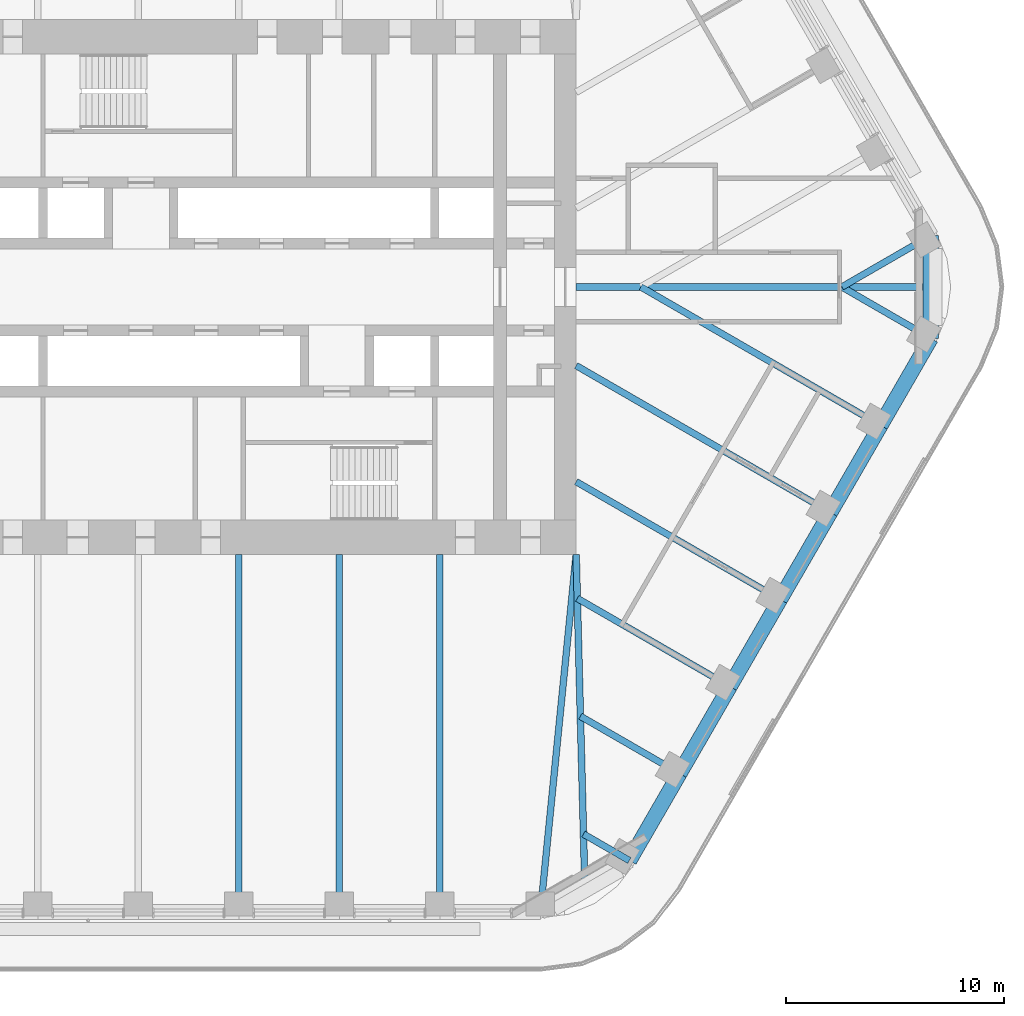
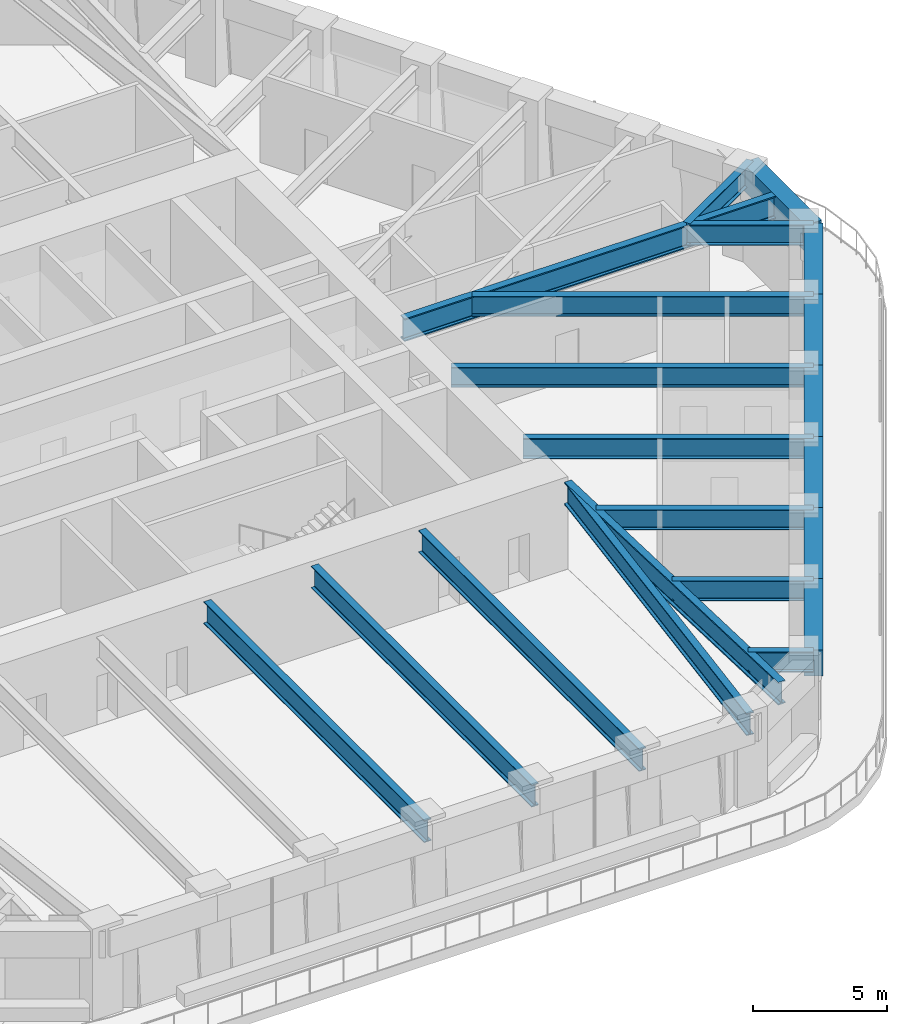
# One storey, part 5 of 20: 21 beams.
"""IFC4 building model written with IfcOpenShell, lengths in metres."""

from ifc_helpers import new_model, si_unit, direction, frame, origin, origin_2d, place, context, subcontext, project, spatial, rectangle, i_section, extrude, material, material_profile, profile_set, type_object, element, save


model = new_model("IFC4")

# Units and contexts
model_context = context("Model", 3, precision=1e-05, world=origin(), true_north=direction((0.0, 1.0)))
body_context = subcontext(model_context, "Body", "Model", "MODEL_VIEW")
ifc_project = project(units=[si_unit("LENGTHUNIT", "METRE"), si_unit("AREAUNIT", "SQUARE_METRE"), si_unit("VOLUMEUNIT", "CUBIC_METRE"), si_unit("PLANEANGLEUNIT", "RADIAN"), si_unit("MASSUNIT", "GRAM", prefix="KILO")], contexts=[model_context])

# Site, building, storey
site_placement = place(None, origin())
site = spatial("IfcSite", under=ifc_project, at=site_placement, CompositionType="ELEMENT")
building_placement = place(site_placement, origin())
building = spatial("IfcBuilding", under=site, at=building_placement, Name="Tarfa Lantern Tower", CompositionType="ELEMENT")
storey_placement = place(building_placement, frame((0.0, 0.0, 244.89990234375)))
storey = spatial("IfcBuildingStorey", under=building, at=storey_placement, Name="L55", CompositionType="ELEMENT", Elevation=244.89990234375)

# Beams
ifc_material_1 = material(Name="Concrete C80/95", Category="concrete")
ifc_material_profile_1 = material_profile(ifc_material_1, rectangle(XDim=0.699951171875, YDim=1.199951171875, at=origin_2d()), Name="RC 700x1200")
ifc_profile_set_1 = profile_set([ifc_material_profile_1], Name="Concrete C80/95")
beam_type_1 = type_object("IfcBeamType", Name="EB3 RC 700x1200", PredefinedType="SPANDREL", material=ifc_profile_set_1)
for number, where, z_axis, x_axis, name in (
    (1, (17.944091796875, -26.360107421875, 3.400146484375), (0.499987836815, 0.866032426089, 0.0), (-0.866032426089, 0.499987836815, 0.0), "Edge beam SE0"),
    (2, (20.25341796875, -22.360107421875, 3.400146484375), (0.499987836815, 0.866032426089, 0.0), (-0.866032426089, 0.499987836815, 0.0), "Edge beam SE1"),
):
    element("IfcBeam", number, at=place(storey_placement, frame(where, z_axis=z_axis, x_axis=x_axis)), inside=storey, type_object=beam_type_1, Name=name, PredefinedType="SPANDREL", context=body_context, shape_type="SweptSolid", body=[
        extrude(rectangle(XDim=0.699951171875, YDim=1.199951171875, at=origin_2d()), origin(), (0.0, 0.0, 1.0), 4.61865234375),
    ])
beam_1_placement = place(storey_placement, frame((22.562744140625, -18.360107421875, 3.400146484375), z_axis=(0.500027479704, 0.866009537788, 0.0), x_axis=(-0.866009537788, 0.500027479704, 0.0)))
element("IfcBeam", 3, at=beam_1_placement, inside=storey, type_object=beam_type_1, Name="Edge beam SE2", PredefinedType="SPANDREL", context=body_context, shape_type="SweptSolid", body=[
    extrude(rectangle(XDim=0.699951171875, YDim=1.199951171875, at=origin_2d()), origin(), (0.0, 0.0, 1.0), 4.618896484375),
])
for number, where, z_axis, x_axis, name in (
    (4, (24.872314453125, -14.360107421875, 3.400146484375), (0.499987836815, 0.866032426089, 0.0), (-0.866032426089, 0.499987836815, 0.0), "Edge beam SE3"),
    (5, (27.181640625, -10.360107421875, 3.400146484375), (0.499987836815, 0.866032426089, 0.0), (-0.866032426089, 0.499987836815, 0.0), "Edge beam SE4"),
):
    element("IfcBeam", number, at=place(storey_placement, frame(where, z_axis=z_axis, x_axis=x_axis)), inside=storey, type_object=beam_type_1, Name=name, PredefinedType="SPANDREL", context=body_context, shape_type="SweptSolid", body=[
        extrude(rectangle(XDim=0.699951171875, YDim=1.199951171875, at=origin_2d()), origin(), (0.0, 0.0, 1.0), 4.61865234375),
    ])
beam_2_placement = place(storey_placement, frame((29.490966796875, -6.360107421875, 3.400146484375), z_axis=(0.500027479704, 0.866009537788, 0.0), x_axis=(-0.866009537788, 0.500027479704, 0.0)))
element("IfcBeam", 6, at=beam_2_placement, inside=storey, type_object=beam_type_1, Name="Edge beam SE5", PredefinedType="SPANDREL", context=body_context, shape_type="SweptSolid", body=[
    extrude(rectangle(XDim=0.699951171875, YDim=1.199951171875, at=origin_2d()), origin(), (0.0, 0.0, 1.0), 4.618896484375),
])
beam_3_placement = place(storey_placement, frame((31.800537109375, -2.360107421875, 3.400146484375), z_axis=(0.0, 1.0, 0.0), x_axis=(-1.0, 0.0, 0.0)))
element("IfcBeam", 7, at=beam_3_placement, inside=storey, type_object=beam_type_1, Name="Edge beam SE6", PredefinedType="SPANDREL", context=body_context, shape_type="SweptSolid", body=[
    extrude(rectangle(XDim=0.699951171875, YDim=1.199951171875, at=origin_2d()), origin(), (0.0, 0.0, 1.0), 4.72021484375),
])
ifc_material_2 = material(Name="Steel S460M", Category="steel")
ifc_material_profile_2 = material_profile(ifc_material_2, i_section(OverallWidth=0.302001953125, OverallDepth=1.008056640625, WebThickness=0.02099609375, FlangeThickness=0.0400390625, FilletRadius=0.030029296875, at=origin_2d()), Name="UB1016x305x349")
ifc_profile_set_2 = profile_set([ifc_material_profile_2], Name="Steel S460M")
beam_type_2 = type_object("IfcBeamType", Name="UB1016x305x349", PredefinedType="BEAM", material=ifc_profile_set_2)
for number, where, z_axis, x_axis, name in (
    (8, (0.0, -28.719970703125, 3.49609375), (0.0, 1.0, 0.0), (-1.0, 0.0, 0.0), "Floor beam S3"),
    (9, (4.618896484375, -28.719970703125, 3.49609375), (0.0, 1.0, 0.0), (-1.0, 0.0, 0.0), "Floor beam S4"),
    (10, (9.237548828125, -28.719970703125, 3.49609375), (0.0, 1.0, 0.0), (-1.0, 0.0, 0.0), "Floor beam S5"),
):
    element("IfcBeam", number, at=place(storey_placement, frame(where, z_axis=z_axis, x_axis=x_axis)), inside=storey, type_object=beam_type_2, Name=name, PredefinedType="BEAM", context=body_context, shape_type="SweptSolid", body=[
        extrude(i_section(OverallWidth=0.302001953125, OverallDepth=1.008056640625, WebThickness=0.02099609375, FlangeThickness=0.0400390625, FilletRadius=0.030029296875, at=origin_2d()), origin(), (0.0, 0.0, 1.0), 16.419921875),
    ])
beam_4_placement = place(storey_placement, frame((13.8564453125, -28.719970703125, 3.49609375), z_axis=(0.099597466746, 0.995027810977, 0.0), x_axis=(-0.995027810977, 0.099597466746, 0.0)))
element("IfcBeam", 11, at=beam_4_placement, inside=storey, type_object=beam_type_2, Name="Floor beam S6", PredefinedType="BEAM", context=body_context, shape_type="SweptSolid", body=[
    extrude(i_section(OverallWidth=0.302001953125, OverallDepth=1.008056640625, WebThickness=0.02099609375, FlangeThickness=0.0400390625, FilletRadius=0.030029296875, at=origin_2d()), origin(), (0.0, 0.0, 1.0), 16.501953125),
])
ifc_material_profile_3 = material_profile(ifc_material_2, i_section(OverallWidth=0.30859375, OverallDepth=1.036376953125, WebThickness=0.030029296875, FlangeThickness=0.05419921875, FilletRadius=0.030029296875, at=origin_2d()), Name="UB1016x305x487")
ifc_profile_set_3 = profile_set([ifc_material_profile_3], Name="Steel S460M")
beam_type_3 = type_object("IfcBeamType", Name="UB1016x305x487", PredefinedType="BEAM", material=ifc_profile_set_3)
beam_5_placement = place(storey_placement, frame((15.5, 0.0, 3.48193359375), z_axis=(1.0, 0.0, 0.0), x_axis=(0.0, 1.0, 0.0)))
element("IfcBeam", 12, at=beam_5_placement, inside=storey, type_object=beam_type_3, Name="Hip girder E", PredefinedType="BEAM", context=body_context, shape_type="SweptSolid", body=[
    extrude(i_section(OverallWidth=0.30859375, OverallDepth=1.036376953125, WebThickness=0.030029296875, FlangeThickness=0.05419921875, FilletRadius=0.030029296875, at=origin_2d()), origin(), (0.0, 0.0, 1.0), 16.300537109375),
])
beam_6_placement = place(storey_placement, frame((15.5, -12.300048828125, 3.48193359375), z_axis=(0.026247301989, -0.999655480222, 0.0), x_axis=(0.999655480222, 0.026247301989, 0.0)))
element("IfcBeam", 13, at=beam_6_placement, inside=storey, type_object=beam_type_3, Name="Hip girder SE", PredefinedType="BEAM", context=body_context, shape_type="SweptSolid", body=[
    extrude(i_section(OverallWidth=0.30859375, OverallDepth=1.036376953125, WebThickness=0.030029296875, FlangeThickness=0.05419921875, FilletRadius=0.030029296875, at=origin_2d()), origin(), (0.0, 0.0, 1.0), 15.245361328125),
])
ifc_material_profile_4 = material_profile(ifc_material_2, i_section(OverallWidth=0.305419921875, OverallDepth=0.91845703125, WebThickness=0.017333984375, FlangeThickness=0.02783203125, FilletRadius=0.01904296875, at=origin_2d()), Name="UB914x305x253")
ifc_profile_set_4 = profile_set([ifc_material_profile_4], Name="Steel S460M")
beam_type_4 = type_object("IfcBeamType", Name="UB914x305x253", PredefinedType="BEAM", material=ifc_profile_set_4)
beam_7_placement = place(storey_placement, frame((31.800537109375, 2.360107421875, 3.541015625), z_axis=(-0.866015897305, -0.500016465344, 0.0), x_axis=(0.500016465344, -0.866015897305, 0.0)))
element("IfcBeam", 14, at=beam_7_placement, inside=storey, type_object=beam_type_4, Name="Floor beam NE0", PredefinedType="BEAM", context=body_context, shape_type="SweptSolid", body=[
    extrude(i_section(OverallWidth=0.305419921875, OverallDepth=0.91845703125, WebThickness=0.017333984375, FlangeThickness=0.02783203125, FilletRadius=0.01904296875, at=origin_2d()), origin(), (0.0, 0.0, 1.0), 4.719970703125),
])
beam_8_placement = place(storey_placement, frame((17.944091796875, -26.360107421875, 3.541015625), z_axis=(-0.865980009423, 0.5000786171, 0.0), x_axis=(-0.5000786171, -0.865980009423, 0.0)))
element("IfcBeam", 15, at=beam_8_placement, inside=storey, type_object=beam_type_4, Name="Floor beam SE0", PredefinedType="BEAM", context=body_context, shape_type="SweptSolid", body=[
    extrude(i_section(OverallWidth=0.305419921875, OverallDepth=0.91845703125, WebThickness=0.017333984375, FlangeThickness=0.02783203125, FilletRadius=0.01904296875, at=origin_2d()), origin(), (0.0, 0.0, 1.0), 2.4326171875),
])
beam_9_placement = place(storey_placement, frame((20.25341796875, -22.360107421875, 3.541015625), z_axis=(-0.86601951648, 0.500010196972, 0.0), x_axis=(-0.500010196972, -0.86601951648, 0.0)))
element("IfcBeam", 16, at=beam_9_placement, inside=storey, type_object=beam_type_4, Name="Floor beam SE1", PredefinedType="BEAM", context=body_context, shape_type="SweptSolid", body=[
    extrude(i_section(OverallWidth=0.305419921875, OverallDepth=0.91845703125, WebThickness=0.017333984375, FlangeThickness=0.02783203125, FilletRadius=0.01904296875, at=origin_2d()), origin(), (0.0, 0.0, 1.0), 5.263671875),
])
beam_10_placement = place(storey_placement, frame((22.562744140625, -18.360107421875, 3.541015625), z_axis=(-0.866010787764, 0.500025314835, 0.0), x_axis=(-0.500025314835, -0.866010787764, 0.0)))
element("IfcBeam", 17, at=beam_10_placement, inside=storey, type_object=beam_type_4, Name="Floor beam SE2", PredefinedType="BEAM", context=body_context, shape_type="SweptSolid", body=[
    extrude(i_section(OverallWidth=0.305419921875, OverallDepth=0.91845703125, WebThickness=0.017333984375, FlangeThickness=0.02783203125, FilletRadius=0.01904296875, at=origin_2d()), origin(), (0.0, 0.0, 1.0), 8.09423828125),
])
beam_11_placement = place(storey_placement, frame((24.872314453125, -14.360107421875, 3.541015625), z_axis=(-0.8660244219, 0.500001700669, 0.0), x_axis=(-0.500001700669, -0.8660244219, 0.0)))
element("IfcBeam", 18, at=beam_11_placement, inside=storey, type_object=beam_type_4, Name="Floor beam SE3", PredefinedType="BEAM", context=body_context, shape_type="SweptSolid", body=[
    extrude(i_section(OverallWidth=0.305419921875, OverallDepth=0.91845703125, WebThickness=0.017333984375, FlangeThickness=0.02783203125, FilletRadius=0.01904296875, at=origin_2d()), origin(), (0.0, 0.0, 1.0), 10.822265625),
])
beam_12_placement = place(storey_placement, frame((27.181640625, -10.360107421875, 3.541015625), z_axis=(-0.866018002818, 0.500012818631, 0.0), x_axis=(-0.500012818631, -0.866018002818, 0.0)))
element("IfcBeam", 19, at=beam_12_placement, inside=storey, type_object=beam_type_4, Name="Floor beam SE4", PredefinedType="BEAM", context=body_context, shape_type="SweptSolid", body=[
    extrude(i_section(OverallWidth=0.305419921875, OverallDepth=0.91845703125, WebThickness=0.017333984375, FlangeThickness=0.02783203125, FilletRadius=0.01904296875, at=origin_2d()), origin(), (0.0, 0.0, 1.0), 13.489013671875),
])
beam_13_placement = place(storey_placement, frame((29.490966796875, -6.360107421875, 3.541015625), z_axis=(-0.866022258038, 0.500005448553, 0.0), x_axis=(-0.500005448553, -0.866022258038, 0.0)))
element("IfcBeam", 20, at=beam_13_placement, inside=storey, type_object=beam_type_4, Name="Floor beam SE5", PredefinedType="BEAM", context=body_context, shape_type="SweptSolid", body=[
    extrude(i_section(OverallWidth=0.305419921875, OverallDepth=0.91845703125, WebThickness=0.017333984375, FlangeThickness=0.02783203125, FilletRadius=0.01904296875, at=origin_2d()), origin(), (0.0, 0.0, 1.0), 12.719970703125),
])
beam_14_placement = place(storey_placement, frame((31.800537109375, -2.360107421875, 3.541015625), z_axis=(-0.866015897305, 0.500016465344, 0.0), x_axis=(-0.500016465344, -0.866015897305, 0.0)))
element("IfcBeam", 21, at=beam_14_placement, inside=storey, type_object=beam_type_4, Name="Floor beam SE6", PredefinedType="BEAM", context=body_context, shape_type="SweptSolid", body=[
    extrude(i_section(OverallWidth=0.305419921875, OverallDepth=0.91845703125, WebThickness=0.017333984375, FlangeThickness=0.02783203125, FilletRadius=0.01904296875, at=origin_2d()), origin(), (0.0, 0.0, 1.0), 4.719970703125),
])

save(model, "model.ifc")
